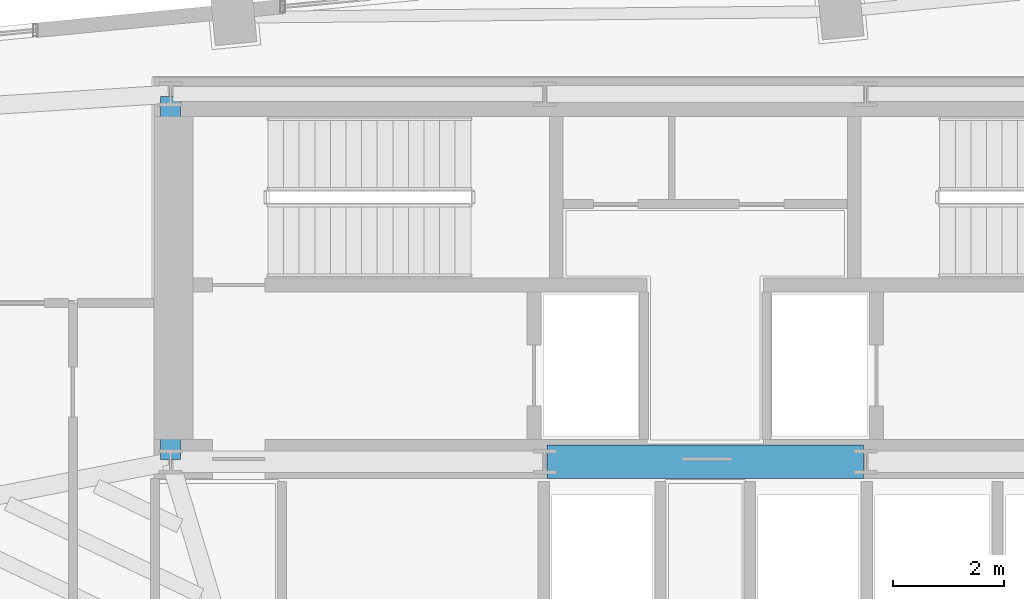
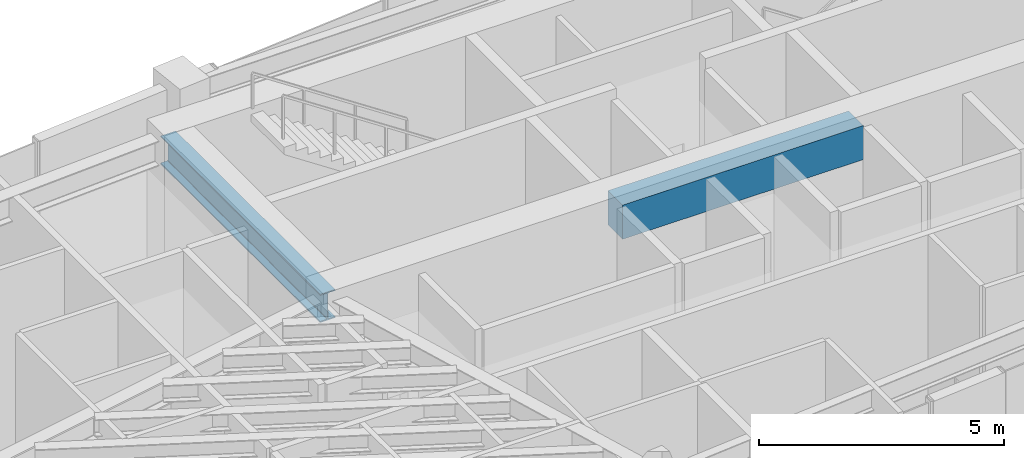
# One storey, part 5 of 21: 2 beams.
"""IFC4 building model written with IfcOpenShell, lengths in metres."""

import ifcopenshell
import ifcopenshell.guid

model = None  # the IFC model being written
_history = None  # IfcOwnerHistory: only IFC2X3 demands one
_inside = {}  # id of a spatial element -> (the spatial element, [elements in it])
_under = {}  # id of a project, library or spatial element -> (it, [spatial elements below it])
_declared = {}  # id of a project -> (the project, [libraries it declares])
_typed = {}  # id of a type object -> (the type object, [elements of that type])
_made_of = {}  # id of a material, layer set ... -> (it, [elements and type objects made of it])


def new_model(schema):
    """Start an empty IFC model of exactly this schema.

    Asked for "IFC4X3", IfcOpenShell would pick the latest addendum, in which some entities
    have other attributes; the version numbers below select the first issue.
    IFC2X3 requires an IfcOwnerHistory on every rooted entity: one is made here for all.
    """
    global model, _history
    if schema == "IFC4X3":
        model = ifcopenshell.file(schema_version=(4, 3, 0, 0))
    else:
        model = ifcopenshell.file(schema=schema)
    _inside.clear()
    _under.clear()
    _declared.clear()
    _typed.clear()
    _made_of.clear()
    _history = None
    if model.schema == "IFC2X3":
        org = make("IfcOrganization", Name="unknown")
        user = make(
            "IfcPersonAndOrganization",
            ThePerson=make("IfcPerson", FamilyName="unknown"),
            TheOrganization=org,
        )
        app = make(
            "IfcApplication",
            ApplicationDeveloper=org,
            Version="unknown",
            ApplicationFullName="unknown",
            ApplicationIdentifier="unknown",
        )
        _history = make(
            "IfcOwnerHistory",
            OwningUser=user,
            OwningApplication=app,
            ChangeAction="ADDED",
            CreationDate=0,
        )
    return model


def make(cls, **values):
    """One entity of the class cls with the attributes given. An attribute that is None is left unset."""
    return model.create_entity(
        cls, **{name: value for name, value in values.items() if value is not None}
    )


def rooted(cls, **values):
    """An entity with a GlobalId (a new one), such as an element, a storey or a relation."""
    return make(cls, GlobalId=ifcopenshell.guid.new(), OwnerHistory=_history, **values)


def si_unit(unit_type, name, prefix=None):
    """IfcSIUnit, for example si_unit("LENGTHUNIT", "METRE", prefix="MILLI")."""
    return make("IfcSIUnit", UnitType=unit_type, Prefix=prefix, Name=name)


def assignment(units):
    """IfcUnitAssignment: the units of a project."""
    return None if units is None else make("IfcUnitAssignment", Units=units)


def point(xyz):
    """IfcCartesianPoint."""
    return None if xyz is None else make("IfcCartesianPoint", Coordinates=xyz)


def direction(xyz):
    """IfcDirection."""
    return None if xyz is None else make("IfcDirection", DirectionRatios=xyz)


def frame(location, z_axis=None, x_axis=None):
    """IfcAxis2Placement3D, a coordinate frame: its origin and axes. An axis left out is left unset."""
    return make(
        "IfcAxis2Placement3D",
        Location=point(location),
        Axis=direction(z_axis),
        RefDirection=direction(x_axis),
    )


def frame_2d(location, x_axis=None):
    """IfcAxis2Placement2D, a coordinate frame in the plane: its origin and x axis."""
    return make(
        "IfcAxis2Placement2D", Location=point(location), RefDirection=direction(x_axis)
    )


def origin():
    """The frame at (0, 0, 0) with its axes left unset."""
    return frame((0.0, 0.0, 0.0))


def origin_2d():
    """The frame at (0, 0) in the plane with its x axis left unset."""
    return frame_2d((0.0, 0.0))


def place(relative_to, where):
    """IfcLocalPlacement: puts the frame where relative to a parent placement (None: the world)."""
    return make(
        "IfcLocalPlacement", PlacementRelTo=relative_to, RelativePlacement=where
    )


def context(
    kind, dimensions, precision=None, world=None, true_north=None, identifier=None
):
    """IfcGeometricRepresentationContext, for example the 3D "Model" context."""
    return make(
        "IfcGeometricRepresentationContext",
        ContextIdentifier=identifier,
        ContextType=kind,
        CoordinateSpaceDimension=dimensions,
        Precision=precision,
        WorldCoordinateSystem=world,
        TrueNorth=true_north,
    )


def subcontext(parent, identifier, kind, view, scale=None):
    """IfcGeometricRepresentationSubContext, for example "Body" below "Model"."""
    return make(
        "IfcGeometricRepresentationSubContext",
        ContextIdentifier=identifier,
        ContextType=kind,
        ParentContext=parent,
        TargetScale=scale,
        TargetView=view,
    )


def project(units=None, contexts=None):
    """IfcProject with its units and contexts."""
    return rooted(
        "IfcProject",
        Name="project",
        RepresentationContexts=contexts,
        UnitsInContext=assignment(units),
    )


def spatial(cls, under=None, at=None, **own):
    """A site, building, storey or space (cls), placed at a placement, below another one or the project."""
    s = rooted(cls, ObjectPlacement=at, **own)
    if under is not None:
        _under.setdefault(under.id(), (under, []))[1].append(s)
    return s


def profile(cls, at=None, kind="AREA", **sizes):
    """A parametric profile (cls). Its sizes go by their IFC names, for example OverallWidth=200.0."""
    return make(cls, ProfileType=kind, Position=at, **sizes)


def rectangle(**sizes):
    """IfcRectangleProfileDef."""
    return profile("IfcRectangleProfileDef", **sizes)


def i_section(**sizes):
    """IfcIShapeProfileDef."""
    return profile("IfcIShapeProfileDef", **sizes)


def extrude(swept, where, along, depth):
    """IfcExtrudedAreaSolid: the profile swept, set in the frame where, extruded along a direction by depth."""
    return make(
        "IfcExtrudedAreaSolid",
        SweptArea=swept,
        Position=where,
        ExtrudedDirection=direction(along),
        Depth=depth,
    )


def shape(context_of_items, identifier, shape_type, items):
    """IfcShapeRepresentation: the items that make up one representation, for example the "Body"."""
    return make(
        "IfcShapeRepresentation",
        ContextOfItems=context_of_items,
        RepresentationIdentifier=identifier,
        RepresentationType=shape_type,
        Items=items,
    )


def source(mapping_origin, context_of_items, identifier, shape_type, items):
    """IfcRepresentationMap: a shape defined once, which mapped items show again and again."""
    return make(
        "IfcRepresentationMap",
        MappingOrigin=mapping_origin,
        MappedRepresentation=shape(context_of_items, identifier, shape_type, items),
    )


def transform(
    local_origin,
    x_axis=None,
    y_axis=None,
    z_axis=None,
    scale=None,
    scale2=None,
    scale3=None,
    uniform=True,
):
    """IfcCartesianTransformationOperator3D, or its non-uniform kind. x_axis, y_axis, z_axis: its Axis1, 2, 3."""
    if uniform:
        return make(
            "IfcCartesianTransformationOperator3D",
            Axis1=direction(x_axis),
            Axis2=direction(y_axis),
            LocalOrigin=point(local_origin),
            Scale=scale,
            Axis3=direction(z_axis),
        )
    return make(
        "IfcCartesianTransformationOperator3DnonUniform",
        Axis1=direction(x_axis),
        Axis2=direction(y_axis),
        LocalOrigin=point(local_origin),
        Scale=scale,
        Axis3=direction(z_axis),
        Scale2=scale2,
        Scale3=scale3,
    )


def mapped(mapping_source, mapping_target):
    """IfcMappedItem: shows the shape of a source again, moved by a transform."""
    return make(
        "IfcMappedItem", MappingSource=mapping_source, MappingTarget=mapping_target
    )


def material(Name=None, Category=None):
    """IfcMaterial."""
    return make("IfcMaterial", Name=Name, Category=Category)


def material_profile(
    of_material, cross_section, Name=None, Category=None, Priority=None
):
    """IfcMaterialProfile: a cross section and its material."""
    return make(
        "IfcMaterialProfile",
        Name=Name,
        Material=of_material,
        Profile=cross_section,
        Priority=Priority,
        Category=Category,
    )


def profile_set(profiles, Name=None, composite=None):
    """IfcMaterialProfileSet."""
    return make(
        "IfcMaterialProfileSet",
        Name=Name,
        MaterialProfiles=profiles,
        CompositeProfile=composite,
    )


def made_of(thing, what):
    """Note that an element or type object is made of a material, layer set ...; save() writes the relation."""
    if what is not None:
        _made_of.setdefault(what.id(), (what, []))[1].append(thing)
    return thing


def type_object(cls, material=None, **own):
    """A type object (cls), such as IfcWallType, which elements share."""
    return made_of(rooted(cls, **own), material)


def type_shapes(of_type, sources):
    """Give a type object the sources (RepresentationMaps) that its elements show as mapped items."""
    of_type.RepresentationMaps = sources


def element(
    cls,
    number,
    at=None,
    inside=None,
    cuts=None,
    type_object=None,
    material=None,
    context=None,
    identifier="Body",
    shape_type=None,
    held_by="IfcProductDefinitionShape",
    body=None,
    shapes=None,
    **own,
):
    """One element of the class cls, such as IfcWall. Its Tag is "e" and its number.

    at: its placement. inside: the storey or other place that contains it. cuts: it is an
    opening in that element (IfcRelVoidsElement). A single representation is given by context,
    identifier, shape_type and body (its items); several are given by shapes. held_by: the class
    of the entity that holds the representations. save() writes the other relations.
    """
    e = rooted(cls, Tag="e%d" % number, ObjectPlacement=at, **own)
    if body is not None:
        shapes = [shape(context, identifier, shape_type, body)]
    if shapes is not None:
        e.Representation = make(held_by, Representations=shapes)
    if inside is not None:
        _inside.setdefault(inside.id(), (inside, []))[1].append(e)
    if cuts is not None:
        rooted(
            "IfcRelVoidsElement", RelatingBuildingElement=cuts, RelatedOpeningElement=e
        )
    if type_object is not None:
        _typed.setdefault(type_object.id(), (type_object, []))[1].append(e)
    return made_of(e, material)


def aggregate(whole, parts):
    """IfcRelAggregates: a whole, such as a stair, and the parts it consists of."""
    return rooted("IfcRelAggregates", RelatingObject=whole, RelatedObjects=parts)


def save(model, path):
    """Write the relations noted so far, then the file.

    IfcRelAggregates (storeys below a building ...), IfcRelContainedInSpatialStructure (elements
    in a storey), IfcRelDefinesByType, IfcRelAssociatesMaterial and IfcRelDeclares: one each for
    every whole, place, type object, material and project.
    """
    for whole, parts in _under.values():
        aggregate(whole, parts)
    for where, things in _inside.values():
        rooted(
            "IfcRelContainedInSpatialStructure",
            RelatedElements=things,
            RelatingStructure=where,
        )
    for kind, things in _typed.values():
        rooted("IfcRelDefinesByType", RelatedObjects=things, RelatingType=kind)
    for what, things in _made_of.values():
        rooted("IfcRelAssociatesMaterial", RelatedObjects=things, RelatingMaterial=what)
    for by, libraries in _declared.values():
        rooted("IfcRelDeclares", RelatingContext=by, RelatedDefinitions=libraries)
    model.write(path)


model = new_model("IFC4")

# Units and contexts
model_context = context("Model", 3, precision=1e-05, world=origin(), true_north=direction((0.0, 1.0)))
body_context = subcontext(model_context, "Body", "Model", "MODEL_VIEW")
ifc_project = project(units=[si_unit("LENGTHUNIT", "METRE"), si_unit("AREAUNIT", "SQUARE_METRE"), si_unit("VOLUMEUNIT", "CUBIC_METRE"), si_unit("PLANEANGLEUNIT", "RADIAN"), si_unit("MASSUNIT", "GRAM", prefix="KILO")], contexts=[model_context])

# Site, building, storey
site_placement = place(None, origin())
site = spatial("IfcSite", under=ifc_project, at=site_placement, CompositionType="ELEMENT")
building_placement = place(site_placement, origin())
building = spatial("IfcBuilding", under=site, at=building_placement, Name="Astriad Promenade Condominiums", CompositionType="ELEMENT")
storey_placement = place(building_placement, frame((0.0, 0.0, 167.800048828125)))
storey = spatial("IfcBuildingStorey", under=building, at=storey_placement, Name="L48", CompositionType="ELEMENT", Elevation=167.800048828125)

# Beams
ifc_material_1 = material(Name="Steel ASTM A992 Grade 50", Category="steel")
ifc_material_profile_1 = material_profile(ifc_material_1, i_section(OverallWidth=0.35791015625, OverallDepth=0.706298828125, WebThickness=0.018310546875, FlangeThickness=0.0302734375, FilletRadius=0.020263671875, at=origin_2d()), Name="W27X178")
ifc_profile_set_1 = profile_set([ifc_material_profile_1], Name="Steel ASTM A992 Grade 50")
beam_type_1 = type_object("IfcBeamType", Name="STEEL FLOOR GIRDER W27X178", PredefinedType="BEAM", material=ifc_profile_set_1)
shared_shape_1 = source(origin(), body_context, "Body", "SweptSolid", [
    extrude(i_section(OverallWidth=0.35791015625, OverallDepth=0.706298828125, WebThickness=0.018310546875, FlangeThickness=0.0302734375, FilletRadius=0.020263671875, at=origin_2d()), origin(), (0.0, 0.0, 1.0), 6.52001953125),
])
type_shapes(beam_type_1, [shared_shape_1])
beam_1_placement = place(storey_placement, frame((26.39990234375, 17.43994140625, 4.586669921875), z_axis=(0.0, 1.0, 0.0), x_axis=(-1.0, 0.0, 0.0)))
element("IfcBeam", 1, at=beam_1_placement, inside=storey, type_object=beam_type_1, Name="Core Ring Beam CG-W1-L48", PredefinedType="BEAM", context=body_context, shape_type="MappedRepresentation", body=[
    mapped(shared_shape_1, transform((0.0, 0.0, 0.0), scale=1.0)),
])
ifc_material_2 = material(Name="Concrete C60/75", Category="concrete")
ifc_material_profile_2 = material_profile(ifc_material_2, rectangle(XDim=0.60009765625, YDim=0.85009765625, at=origin_2d()), Name="RC-BM-600X850")
ifc_profile_set_2 = profile_set([ifc_material_profile_2], Name="Concrete C60/75")
beam_type_2 = type_object("IfcBeamType", Name="CONCRETE CORE COUPLING LINTEL 600X850", PredefinedType="LINTEL", material=ifc_profile_set_2)
shared_shape_2 = source(origin(), body_context, "Body", "SweptSolid", [
    extrude(rectangle(XDim=0.60009765625, YDim=0.85009765625, at=origin_2d()), origin(), (0.0, 0.0, 1.0), 5.68017578125),
])
type_shapes(beam_type_2, [shared_shape_2])
beam_2_placement = place(storey_placement, frame((33.159912109375, 17.39990234375, 4.514892578125), z_axis=(1.0, 0.0, 0.0), x_axis=(0.0, 1.0, 0.0)))
element("IfcBeam", 2, at=beam_2_placement, inside=storey, type_object=beam_type_2, Name="Core Ring Beam CG-S2-L48", PredefinedType="LINTEL", context=body_context, shape_type="MappedRepresentation", body=[
    mapped(shared_shape_2, transform((0.0, 0.0, 0.0), scale=1.0)),
])

save(model, "model.ifc")
